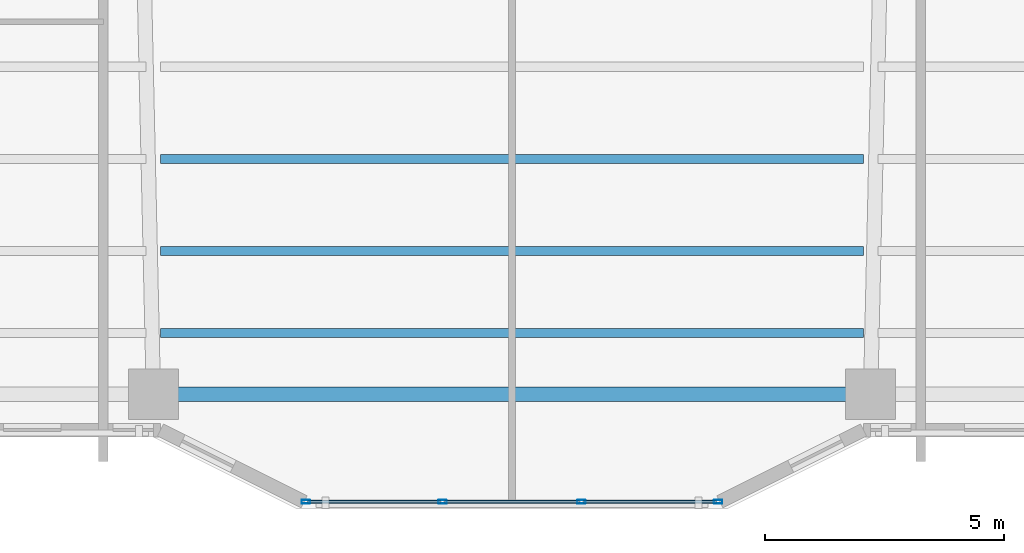
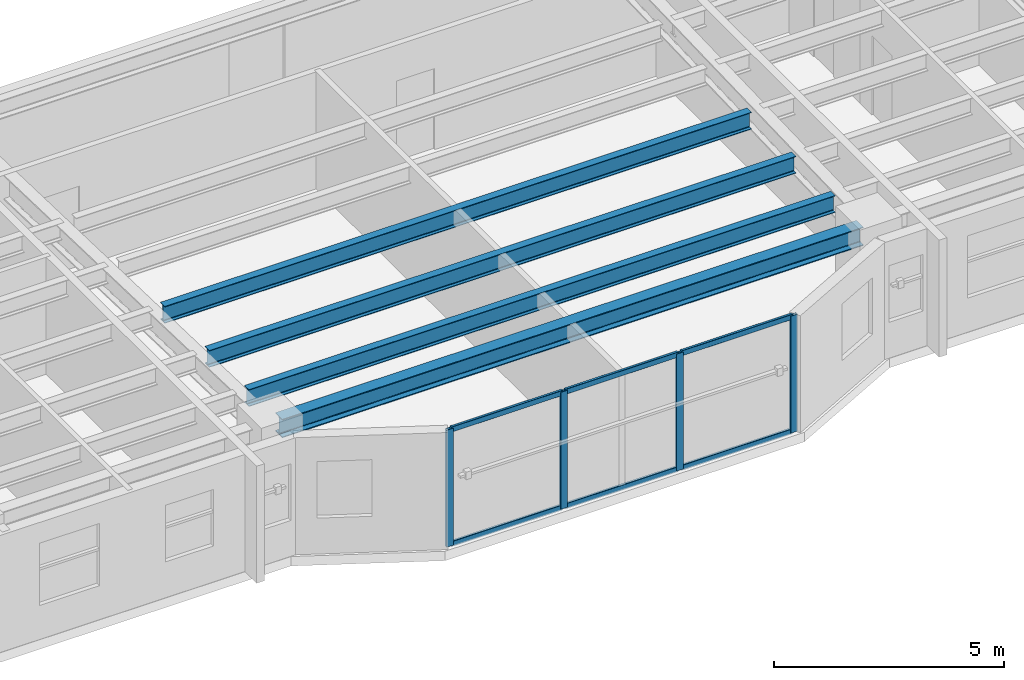
# One storey, part 2 of 18: 10 members, 4 beams, 1 element without a shape of its own.
"""IFC4 building model written with IfcOpenShell, lengths in metres."""

from ifc_helpers import new_model, si_unit, direction, frame, origin, origin_2d, place, context, subcontext, project, spatial, hollow_rectangle, i_section, extrude, material, layer, layer_set, material_profile, profile_set, type_object, element, aggregate, save


model = new_model("IFC4")

# Units and contexts
model_context = context("Model", 3, precision=1e-05, world=origin(), true_north=direction((0.0, 1.0)))
body_context = subcontext(model_context, "Body", "Model", "MODEL_VIEW")
ifc_project = project(units=[si_unit("LENGTHUNIT", "METRE"), si_unit("AREAUNIT", "SQUARE_METRE"), si_unit("VOLUMEUNIT", "CUBIC_METRE"), si_unit("PLANEANGLEUNIT", "RADIAN"), si_unit("MASSUNIT", "GRAM", prefix="KILO")], contexts=[model_context])

# Site, building, storey
site_placement = place(None, origin())
site = spatial("IfcSite", under=ifc_project, at=site_placement, CompositionType="ELEMENT")
building_placement = place(site_placement, origin())
building = spatial("IfcBuilding", under=site, at=building_placement, Name="Tarnavaz Court Tower", CompositionType="ELEMENT")
storey_placement = place(building_placement, frame((0.0, 0.0, 101.75)))
storey = spatial("IfcBuildingStorey", under=building, at=storey_placement, Name="L27", CompositionType="ELEMENT", Elevation=101.75)

# Beams
ifc_material_1 = material(Name="Steel S355", Category="steel")
ifc_material_profile_1 = material_profile(ifc_material_1, i_section(OverallWidth=0.18994140625, OverallDepth=0.449951171875, WebThickness=0.009521484375, FlangeThickness=0.0146484375, FilletRadius=0.02099609375, at=origin_2d()), Name="IPE 450")
ifc_profile_set_1 = profile_set([ifc_material_profile_1], Name="Steel S355")
beam_type_1 = type_object("IfcBeamType", Name="BM-J-IPE450", PredefinedType="JOIST", material=ifc_profile_set_1)
for number, where, z_axis, x_axis, name in (
    (1, (-7.35009765625, -16.3779296875, 2.875), (1.0, 0.0, 0.0), (0.0, 1.0, 0.0), "L27 Beam JS3-2"),
    (2, (-7.35009765625, -18.303955078125, 2.875), (1.0, 0.0, 0.0), (0.0, 1.0, 0.0), "L27 Beam JS4-2"),
    (3, (-7.35009765625, -20.01611328125, 2.875), (1.0, 0.0, 0.0), (0.0, 1.0, 0.0), "L27 Beam JS5-2"),
):
    element("IfcBeam", number, at=place(storey_placement, frame(where, z_axis=z_axis, x_axis=x_axis)), inside=storey, type_object=beam_type_1, Name=name, PredefinedType="JOIST", context=body_context, shape_type="SweptSolid", body=[
        extrude(i_section(OverallWidth=0.18994140625, OverallDepth=0.449951171875, WebThickness=0.009521484375, FlangeThickness=0.0146484375, FilletRadius=0.02099609375, at=origin_2d()), origin(), (0.0, 0.0, 1.0), 14.7001953125),
    ])
ifc_material_profile_2 = material_profile(ifc_material_1, i_section(OverallWidth=0.300048828125, OverallDepth=0.489990234375, WebThickness=0.011962890625, FlangeThickness=0.02294921875, FilletRadius=0.027099609375, at=origin_2d()), Name="HEA 500")
ifc_profile_set_2 = profile_set([ifc_material_profile_2], Name="Steel S355")
beam_type_2 = type_object("IfcBeamType", Name="BM-SP-HEA500", PredefinedType="SPANDREL", material=ifc_profile_set_2)
beam_placement = place(storey_placement, frame((-7.280029296875, -21.300048828125, 2.85498046875), z_axis=(1.0, 0.0, 0.0), x_axis=(0.0, 1.0, 0.0)))
element("IfcBeam", 4, at=beam_placement, inside=storey, type_object=beam_type_2, Name="L27 Beam PR-PS-2-PS-3", PredefinedType="SPANDREL", context=body_context, shape_type="SweptSolid", body=[
    extrude(i_section(OverallWidth=0.300048828125, OverallDepth=0.489990234375, WebThickness=0.011962890625, FlangeThickness=0.02294921875, FilletRadius=0.027099609375, at=origin_2d()), origin(), (0.0, 0.0, 1.0), 14.56005859375),
])

# Curtain wall, members
ifc_material_2 = material(Name="Anodised Aluminium 6063-T6 and Solar Low-E Glazing", Category="aluminium")
ifc_layer = layer(ifc_material_2, 0.179931640625)
ifc_layer_set = layer_set([ifc_layer], Name="Anodised Aluminium 6063-T6 and Solar Low-E Glazing")
curtain_wall_type = type_object("IfcCurtainWallType", Name="CW-SYS-02", PredefinedType="NOTDEFINED", material=ifc_layer_set)
curtain_wall_placement = place(storey_placement, origin())
curtain_wall = element("IfcCurtainWall", 5, at=curtain_wall_placement, inside=storey, type_object=curtain_wall_type, Name="L27 Iwan Prow Curtain Wall 17", PredefinedType="NOTDEFINED")
ifc_material_3 = material(Name="Anodised Aluminium 6063-T6", Category="aluminium")
ifc_material_profile_3 = material_profile(ifc_material_3, hollow_rectangle(XDim=0.074951171875, YDim=0.179931640625, WallThickness=0.0048828125, InnerFilletRadius=0.0048828125, OuterFilletRadius=0.010009765625, at=origin_2d()), Name="ALU RHS 180X75X5")
ifc_profile_set_3 = profile_set([ifc_material_profile_3], Name="Anodised Aluminium 6063-T6")
member_type_1 = type_object("IfcMemberType", Name="CW-MUL-180", PredefinedType="MULLION", material=ifc_profile_set_3)
member_1_placement = place(storey_placement, frame((4.3125, -23.550048828125, 0.0), z_axis=(0.0, 0.0, 1.0), x_axis=(0.0, -1.0, 0.0)))
member_1 = element("IfcMember", 6, at=member_1_placement, type_object=member_type_1, Name="CW mullion 1", PredefinedType="MULLION", context=body_context, shape_type="SweptSolid", body=[
    extrude(hollow_rectangle(XDim=0.074951171875, YDim=0.179931640625, WallThickness=0.0048828125, InnerFilletRadius=0.0048828125, OuterFilletRadius=0.010009765625, at=origin_2d()), origin(), (0.0, 0.0, 1.0), 3.10009765625),
])
member_2_placement = place(storey_placement, frame((1.449951171875, -23.550048828125, 0.0), z_axis=(0.0, 0.0, 1.0), x_axis=(0.0, -1.0, 0.0)))
member_2 = element("IfcMember", 7, at=member_2_placement, type_object=member_type_1, Name="CW mullion 2", PredefinedType="MULLION", context=body_context, shape_type="SweptSolid", body=[
    extrude(hollow_rectangle(XDim=0.074951171875, YDim=0.179931640625, WallThickness=0.0048828125, InnerFilletRadius=0.0048828125, OuterFilletRadius=0.010009765625, at=origin_2d()), origin(), (0.0, 0.0, 1.0), 3.10009765625),
])
member_3_placement = place(storey_placement, frame((-1.449951171875, -23.550048828125, 0.0), z_axis=(0.0, 0.0, 1.0), x_axis=(0.0, -1.0, 0.0)))
member_3 = element("IfcMember", 8, at=member_3_placement, type_object=member_type_1, Name="CW mullion 3", PredefinedType="MULLION", context=body_context, shape_type="SweptSolid", body=[
    extrude(hollow_rectangle(XDim=0.074951171875, YDim=0.179931640625, WallThickness=0.0048828125, InnerFilletRadius=0.0048828125, OuterFilletRadius=0.010009765625, at=origin_2d()), origin(), (0.0, 0.0, 1.0), 3.10009765625),
])
member_4_placement = place(storey_placement, frame((-4.3125, -23.550048828125, 0.0), z_axis=(0.0, 0.0, 1.0), x_axis=(0.0, -1.0, 0.0)))
member_4 = element("IfcMember", 9, at=member_4_placement, type_object=member_type_1, Name="CW mullion 4", PredefinedType="MULLION", context=body_context, shape_type="SweptSolid", body=[
    extrude(hollow_rectangle(XDim=0.074951171875, YDim=0.179931640625, WallThickness=0.0048828125, InnerFilletRadius=0.0048828125, OuterFilletRadius=0.010009765625, at=origin_2d()), origin(), (0.0, 0.0, 1.0), 3.10009765625),
])
ifc_material_profile_4 = material_profile(ifc_material_3, hollow_rectangle(XDim=0.06494140625, YDim=0.139892578125, WallThickness=0.00390625, InnerFilletRadius=0.00390625, OuterFilletRadius=0.008056640625, at=origin_2d()), Name="ALU RHS 140X65X4")
ifc_profile_set_4 = profile_set([ifc_material_profile_4], Name="Anodised Aluminium 6063-T6")
member_type_2 = type_object("IfcMemberType", Name="CW-TRN-140", PredefinedType="USERDEFINED", material=ifc_profile_set_4)
member_5_placement = place(storey_placement, frame((4.27490234375, -23.550048828125, 0.032470703125), z_axis=(-1.0, 0.0, 0.0), x_axis=(0.0, -1.0, 0.0)))
member_5 = element("IfcMember", 10, at=member_5_placement, type_object=member_type_2, Name="CW transom 1.1", ObjectType="TRANSOM", PredefinedType="USERDEFINED", context=body_context, shape_type="SweptSolid", body=[
    extrude(hollow_rectangle(XDim=0.06494140625, YDim=0.139892578125, WallThickness=0.00390625, InnerFilletRadius=0.00390625, OuterFilletRadius=0.008056640625, at=origin_2d()), origin(), (0.0, 0.0, 1.0), 2.787353515625),
])
member_6_placement = place(storey_placement, frame((4.27490234375, -23.550048828125, 3.0673828125), z_axis=(-1.0, 0.0, 0.0), x_axis=(0.0, -1.0, 0.0)))
member_6 = element("IfcMember", 11, at=member_6_placement, type_object=member_type_2, Name="CW transom 1.2", ObjectType="TRANSOM", PredefinedType="USERDEFINED", context=body_context, shape_type="SweptSolid", body=[
    extrude(hollow_rectangle(XDim=0.06494140625, YDim=0.139892578125, WallThickness=0.00390625, InnerFilletRadius=0.00390625, OuterFilletRadius=0.008056640625, at=origin_2d()), origin(), (0.0, 0.0, 1.0), 2.787353515625),
])
member_7_placement = place(storey_placement, frame((1.41259765625, -23.550048828125, 0.032470703125), z_axis=(-1.0, 0.0, 0.0), x_axis=(0.0, -1.0, 0.0)))
member_7 = element("IfcMember", 12, at=member_7_placement, type_object=member_type_2, Name="CW transom 2.1", ObjectType="TRANSOM", PredefinedType="USERDEFINED", context=body_context, shape_type="SweptSolid", body=[
    extrude(hollow_rectangle(XDim=0.06494140625, YDim=0.139892578125, WallThickness=0.00390625, InnerFilletRadius=0.00390625, OuterFilletRadius=0.008056640625, at=origin_2d()), origin(), (0.0, 0.0, 1.0), 2.8251953125),
])
member_8_placement = place(storey_placement, frame((1.41259765625, -23.550048828125, 3.0673828125), z_axis=(-1.0, 0.0, 0.0), x_axis=(0.0, -1.0, 0.0)))
member_8 = element("IfcMember", 13, at=member_8_placement, type_object=member_type_2, Name="CW transom 2.2", ObjectType="TRANSOM", PredefinedType="USERDEFINED", context=body_context, shape_type="SweptSolid", body=[
    extrude(hollow_rectangle(XDim=0.06494140625, YDim=0.139892578125, WallThickness=0.00390625, InnerFilletRadius=0.00390625, OuterFilletRadius=0.008056640625, at=origin_2d()), origin(), (0.0, 0.0, 1.0), 2.8251953125),
])
member_9_placement = place(storey_placement, frame((-1.487548828125, -23.550048828125, 0.032470703125), z_axis=(-1.0, 0.0, 0.0), x_axis=(0.0, -1.0, 0.0)))
member_9 = element("IfcMember", 14, at=member_9_placement, type_object=member_type_2, Name="CW transom 3.1", ObjectType="TRANSOM", PredefinedType="USERDEFINED", context=body_context, shape_type="SweptSolid", body=[
    extrude(hollow_rectangle(XDim=0.06494140625, YDim=0.139892578125, WallThickness=0.00390625, InnerFilletRadius=0.00390625, OuterFilletRadius=0.008056640625, at=origin_2d()), origin(), (0.0, 0.0, 1.0), 2.787353515625),
])
member_10_placement = place(storey_placement, frame((-1.487548828125, -23.550048828125, 3.0673828125), z_axis=(-1.0, 0.0, 0.0), x_axis=(0.0, -1.0, 0.0)))
member_10 = element("IfcMember", 15, at=member_10_placement, type_object=member_type_2, Name="CW transom 3.2", ObjectType="TRANSOM", PredefinedType="USERDEFINED", context=body_context, shape_type="SweptSolid", body=[
    extrude(hollow_rectangle(XDim=0.06494140625, YDim=0.139892578125, WallThickness=0.00390625, InnerFilletRadius=0.00390625, OuterFilletRadius=0.008056640625, at=origin_2d()), origin(), (0.0, 0.0, 1.0), 2.787353515625),
])
aggregate(curtain_wall, [member_1, member_2, member_3, member_4, member_5, member_6, member_7, member_8, member_9, member_10])

save(model, "model.ifc")
